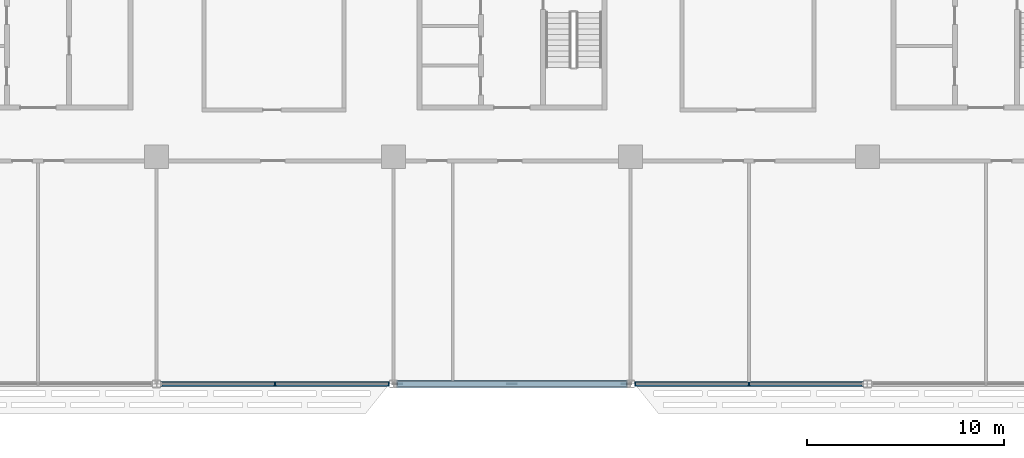
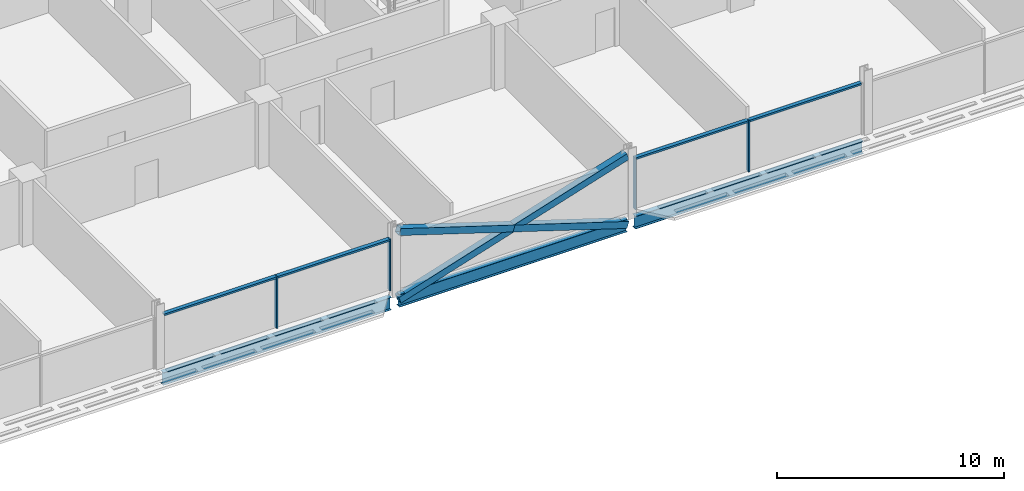
# One storey, part 5 of 27: 11 members, 3 beams, 2 elements without a shape of their own.
"""IFC4 building model written with IfcOpenShell, lengths in metres."""

from ifc_helpers import new_model, si_unit, direction, frame, origin, origin_2d, place, context, subcontext, project, spatial, rectangle, hollow_rectangle, i_section, extrude, material, material_profile, profile_set, type_object, element, aggregate, save


model = new_model("IFC4")

# Units and contexts
model_context = context("Model", 3, precision=1e-05, world=origin(), true_north=direction((0.0, 1.0)))
body_context = subcontext(model_context, "Body", "Model", "MODEL_VIEW")
ifc_project = project(units=[si_unit("LENGTHUNIT", "METRE"), si_unit("AREAUNIT", "SQUARE_METRE"), si_unit("VOLUMEUNIT", "CUBIC_METRE"), si_unit("PLANEANGLEUNIT", "RADIAN"), si_unit("MASSUNIT", "GRAM", prefix="KILO")], contexts=[model_context])

# Site, building, storey
site_placement = place(None, origin())
site = spatial("IfcSite", under=ifc_project, at=site_placement, CompositionType="ELEMENT")
building_placement = place(site_placement, origin())
building = spatial("IfcBuilding", under=site, at=building_placement, Name="Mahtab Terrace Research Tower", CompositionType="ELEMENT")
storey_placement = place(building_placement, frame((0.0, 0.0, 163.0)))
storey = spatial("IfcBuildingStorey", under=building, at=storey_placement, Name="L38", CompositionType="ELEMENT", Elevation=163.0)

# Members
ifc_material_1 = material(Name="Steel ASTM A500 Gr C", Category="steel")
ifc_material_profile_1 = material_profile(ifc_material_1, hollow_rectangle(XDim=0.355712890625, YDim=0.355712890625, WallThickness=0.015869140625, at=origin_2d()), Name="HSS14X14X5/8")
ifc_profile_set_1 = profile_set([ifc_material_profile_1], Name="Steel ASTM A500 Gr C")
member_type_1 = type_object("IfcMemberType", Name="HSS 14x14x5/8 brace XB141458", PredefinedType="BRACE", material=ifc_profile_set_1)
member_1_placement = place(storey_placement, frame((-5.796875, -23.0, -0.61474609375), z_axis=(0.953341454971, 0.0, 0.301894137463), x_axis=(0.0, 1.0, 0.0)))
element("IfcMember", 1, at=member_1_placement, inside=storey, type_object=member_type_1, Name="Exoskeleton brace L38 15 a", PredefinedType="BRACE", context=body_context, shape_type="SweptSolid", body=[
    extrude(hollow_rectangle(XDim=0.355712890625, YDim=0.355712890625, WallThickness=0.015869140625, at=origin_2d()), origin(), (0.0, 0.0, 1.0), 12.1611328125),
])
for number, where, z_axis, x_axis, name in (
    (2, (5.796875, -23.0, -0.61474609375), (-0.953341454971, 0.0, 0.301894137463), (0.0, -1.0, 0.0), "Exoskeleton brace L38 15 b1"),
    (3, (0.0, -23.0, 1.220947265625), (-0.953341454971, 0.0, 0.301894137463), (0.0, -1.0, 0.0), "Exoskeleton brace L38 15 b2"),
):
    element("IfcMember", number, at=place(storey_placement, frame(where, z_axis=z_axis, x_axis=x_axis)), inside=storey, type_object=member_type_1, Name=name, PredefinedType="BRACE", context=body_context, shape_type="SweptSolid", body=[
        extrude(hollow_rectangle(XDim=0.355712890625, YDim=0.355712890625, WallThickness=0.015869140625, at=origin_2d()), origin(), (0.0, 0.0, 1.0), 6.08056640625),
    ])

# Curtain wall, members
ifc_material_2 = material(Name="Laboratory ribbon curtain wall")
curtain_wall_type = type_object("IfcCurtainWallType", Name="Laboratory ribbon curtain wall", PredefinedType="NOTDEFINED", material=ifc_material_2)
curtain_wall_1_placement = place(storey_placement, origin())
curtain_wall_1 = element("IfcCurtainWall", 4, at=curtain_wall_1_placement, inside=storey, type_object=curtain_wall_type, Name="EN.L38.13.25", PredefinedType="NOTDEFINED")
ifc_material_3 = material(Name="Natural anodised aluminium", Category="aluminium")
ifc_material_profile_2 = material_profile(ifc_material_3, rectangle(XDim=0.199951171875, YDim=0.06494140625, at=origin_2d()), Name="MULLION 65x200")
ifc_profile_set_2 = profile_set([ifc_material_profile_2], Name="Natural anodised aluminium")
member_type_2 = type_object("IfcMemberType", Name="Laboratory ribbon curtain wall mullion", PredefinedType="MULLION", material=ifc_profile_set_2)
member_2_placement = place(storey_placement, frame((-12.0, -23.0, 0.0), z_axis=(0.0, 0.0, 1.0), x_axis=(0.0, 1.0, 0.0)))
member_2 = element("IfcMember", 5, at=member_2_placement, type_object=member_type_2, Name="CWL-5 mullion 2", PredefinedType="MULLION", context=body_context, shape_type="SweptSolid", body=[
    extrude(rectangle(XDim=0.199951171875, YDim=0.06494140625, at=origin_2d()), origin(), (0.0, 0.0, 1.0), 2.78173828125),
])
member_3_placement = place(storey_placement, frame((-6.240478515625, -23.0, 0.0), z_axis=(0.0, 0.0, 1.0), x_axis=(0.0, 1.0, 0.0)))
member_3 = element("IfcMember", 6, at=member_3_placement, type_object=member_type_2, Name="CWL-5 mullion 3", PredefinedType="MULLION", context=body_context, shape_type="SweptSolid", body=[
    extrude(rectangle(XDim=0.199951171875, YDim=0.06494140625, at=origin_2d()), origin(), (0.0, 0.0, 1.0), 2.78173828125),
])

curtain_wall_2_placement = place(storey_placement, origin())
curtain_wall_2 = element("IfcCurtainWall", 7, at=curtain_wall_2_placement, inside=storey, type_object=curtain_wall_type, Name="EN.L38.13.27", PredefinedType="NOTDEFINED")
member_4_placement = place(storey_placement, frame((6.240478515625, -23.0, 0.0), z_axis=(0.0, 0.0, 1.0), x_axis=(0.0, 1.0, 0.0)))
member_4 = element("IfcMember", 8, at=member_4_placement, type_object=member_type_2, Name="CWL-5 mullion 1", PredefinedType="MULLION", context=body_context, shape_type="SweptSolid", body=[
    extrude(rectangle(XDim=0.199951171875, YDim=0.06494140625, at=origin_2d()), origin(), (0.0, 0.0, 1.0), 2.78173828125),
])
member_5_placement = place(storey_placement, frame((12.0, -23.0, 0.0), z_axis=(0.0, 0.0, 1.0), x_axis=(0.0, 1.0, 0.0)))
member_5 = element("IfcMember", 9, at=member_5_placement, type_object=member_type_2, Name="CWL-5 mullion 2", PredefinedType="MULLION", context=body_context, shape_type="SweptSolid", body=[
    extrude(rectangle(XDim=0.199951171875, YDim=0.06494140625, at=origin_2d()), origin(), (0.0, 0.0, 1.0), 2.78173828125),
])

# Member
ifc_material_profile_3 = material_profile(ifc_material_3, rectangle(XDim=0.199951171875, YDim=0.10009765625, at=origin_2d()), Name="TRANSOM 100x200")
ifc_profile_set_3 = profile_set([ifc_material_profile_3], Name="Natural anodised aluminium")
member_type_3 = type_object("IfcMemberType", Name="Laboratory ribbon curtain wall transom", PredefinedType="USERDEFINED", material=ifc_profile_set_3)
member_6_placement = place(storey_placement, frame((-17.72705078125, -23.0, 2.731689453125), z_axis=(1.0, 0.0, 0.0), x_axis=(0.0, 1.0, 0.0)))
member_6 = element("IfcMember", 10, at=member_6_placement, type_object=member_type_3, Name="CWL-5 transom 1", ObjectType="TRANSOM", PredefinedType="USERDEFINED", context=body_context, shape_type="SweptSolid", body=[
    extrude(rectangle(XDim=0.199951171875, YDim=0.10009765625, at=origin_2d()), origin(), (0.0, 0.0, 1.0), 5.694580078125),
])

member_7_placement = place(storey_placement, frame((-11.967529296875, -23.0, 2.731689453125), z_axis=(1.0, 0.0, 0.0), x_axis=(0.0, 1.0, 0.0)))
member_7 = element("IfcMember", 11, at=member_7_placement, type_object=member_type_3, Name="CWL-5 transom 2", ObjectType="TRANSOM", PredefinedType="USERDEFINED", context=body_context, shape_type="SweptSolid", body=[
    extrude(rectangle(XDim=0.199951171875, YDim=0.10009765625, at=origin_2d()), origin(), (0.0, 0.0, 1.0), 5.694580078125),
])

aggregate(curtain_wall_1, [member_2, member_3, member_6, member_7])

member_8_placement = place(storey_placement, frame((6.27294921875, -23.0, 2.731689453125), z_axis=(1.0, 0.0, 0.0), x_axis=(0.0, 1.0, 0.0)))
member_8 = element("IfcMember", 12, at=member_8_placement, type_object=member_type_3, Name="CWL-5 transom 1", ObjectType="TRANSOM", PredefinedType="USERDEFINED", context=body_context, shape_type="SweptSolid", body=[
    extrude(rectangle(XDim=0.199951171875, YDim=0.10009765625, at=origin_2d()), origin(), (0.0, 0.0, 1.0), 5.694580078125),
])

member_9_placement = place(storey_placement, frame((12.032470703125, -23.0, 2.731689453125), z_axis=(1.0, 0.0, 0.0), x_axis=(0.0, 1.0, 0.0)))
member_9 = element("IfcMember", 13, at=member_9_placement, type_object=member_type_3, Name="CWL-5 transom 2", ObjectType="TRANSOM", PredefinedType="USERDEFINED", context=body_context, shape_type="SweptSolid", body=[
    extrude(rectangle(XDim=0.199951171875, YDim=0.10009765625, at=origin_2d()), origin(), (0.0, 0.0, 1.0), 5.694580078125),
])

aggregate(curtain_wall_2, [member_4, member_5, member_8, member_9])

# Beams
ifc_material_4 = material(Name="Steel ASTM A992 Gr 50", Category="steel")
ifc_material_profile_4 = material_profile(ifc_material_4, i_section(OverallWidth=0.25390625, OverallDepth=0.67822265625, WebThickness=0.01171875, FlangeThickness=0.016357421875, at=origin_2d()), Name="W27X84")
ifc_profile_set_4 = profile_set([ifc_material_profile_4], Name="Steel ASTM A992 Gr 50")
beam_type = type_object("IfcBeamType", Name="W27x84 beam BS2784", PredefinedType="BEAM", material=ifc_profile_set_4)
for number, where, z_axis, x_axis, name in (
    (14, (-17.796875, -23.0, -0.67919921875), (1.0, 0.0, 0.0), (0.0, 1.0, 0.0), "Spandrel beam L38 14"),
    (15, (-5.796875, -23.0, -0.67919921875), (1.0, 0.0, 0.0), (0.0, 1.0, 0.0), "Spandrel beam L38 15"),
    (16, (6.203125, -23.0, -0.67919921875), (1.0, 0.0, 0.0), (0.0, 1.0, 0.0), "Spandrel beam L38 16"),
):
    element("IfcBeam", number, at=place(storey_placement, frame(where, z_axis=z_axis, x_axis=x_axis)), inside=storey, type_object=beam_type, Name=name, PredefinedType="BEAM", context=body_context, shape_type="SweptSolid", body=[
        extrude(i_section(OverallWidth=0.25390625, OverallDepth=0.67822265625, WebThickness=0.01171875, FlangeThickness=0.016357421875, at=origin_2d()), origin(), (0.0, 0.0, 1.0), 11.59375),
    ])

save(model, "model.ifc")
